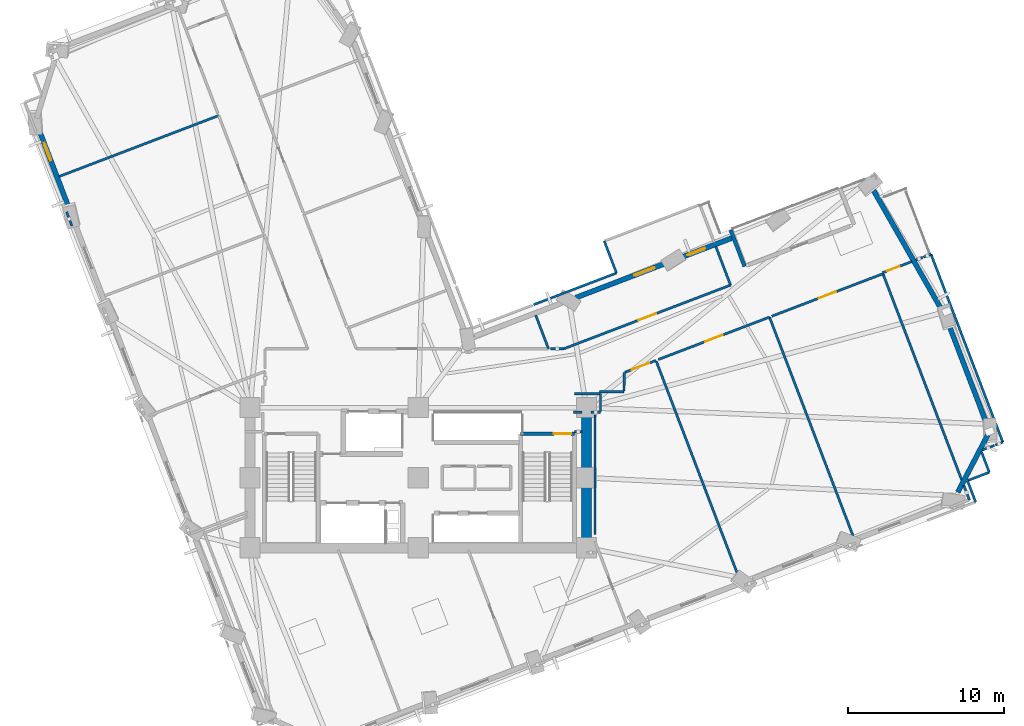
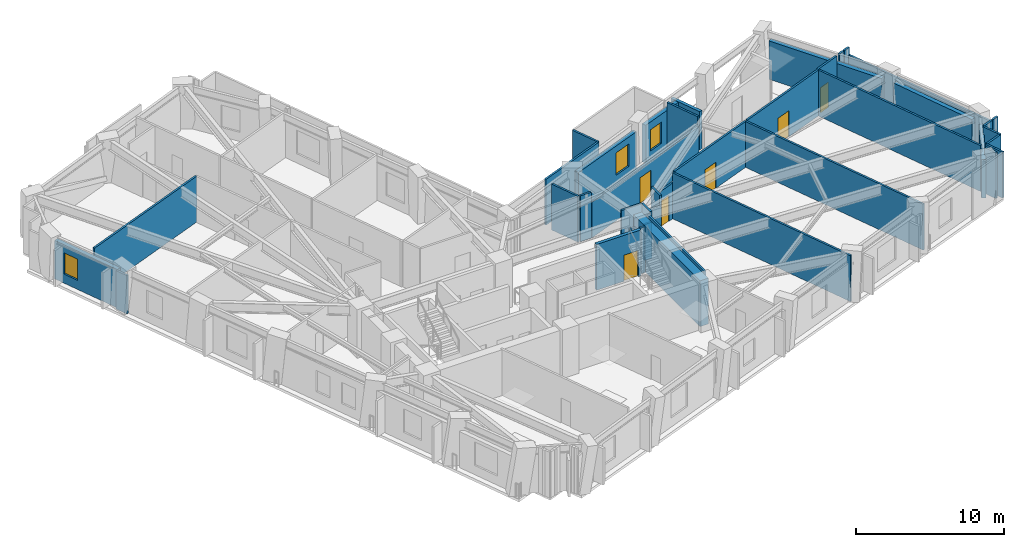
# One storey, part 10 of 15: 41 walls, 6 doors, 3 windows, 9 openings.
"""IFC4 building model written with IfcOpenShell, lengths in metres."""

from ifc_helpers import new_model, si_unit, direction, frame, frame_2d, origin, place, context, subcontext, project, spatial, rectangle, extrude, material, layer, layer_set, type_object, element, fill, save


model = new_model("IFC4")

# Units and contexts
model_context = context("Model", 3, precision=1e-05, world=origin(), true_north=direction((0.0, 1.0)))
body_context = subcontext(model_context, "Body", "Model", "MODEL_VIEW")
ifc_project = project(units=[si_unit("LENGTHUNIT", "METRE"), si_unit("AREAUNIT", "SQUARE_METRE"), si_unit("VOLUMEUNIT", "CUBIC_METRE"), si_unit("PLANEANGLEUNIT", "RADIAN"), si_unit("MASSUNIT", "GRAM", prefix="KILO")], contexts=[model_context])

# Site, building, storey
site_placement = place(None, origin())
site = spatial("IfcSite", under=ifc_project, at=site_placement, CompositionType="ELEMENT")
building_placement = place(site_placement, origin())
building = spatial("IfcBuilding", under=site, at=building_placement, Name="Gaonmaruhae Medical Tower", CompositionType="ELEMENT")
storey_placement = place(building_placement, frame((0.0, 0.0, 112.39990234375)))
storey = spatial("IfcBuildingStorey", under=building, at=storey_placement, Name="L26", CompositionType="ELEMENT", Elevation=112.39990234375)

# Walls
ifc_material_1 = material(Name="Concrete C60/75", Category="concrete")
ifc_layer_1 = layer(ifc_material_1, 0.64990234375)
ifc_layer_set_1 = layer_set([ifc_layer_1], Name="Concrete C60/75")
wall_type_1 = type_object("IfcWallType", Name="CW-650 Zone 2 Core Shear Wall", PredefinedType="SHEAR", material=ifc_layer_set_1)
wall_1_placement = place(storey_placement, frame((35.60009765625, 7.800048828125, 0.0), z_axis=(0.0, 0.0, 1.0), x_axis=(0.0, 1.0, 0.0)))
element("IfcWall", 1, at=wall_1_placement, inside=storey, type_object=wall_type_1, Name="L26 Core Shear Wall CSW-E1", PredefinedType="SHEAR", context=body_context, shape_type="SweptSolid", body=[
    extrude(rectangle(XDim=9.0, YDim=0.64990234375, at=frame_2d((4.5, 0.0))), origin(), (0.0, 0.0, 1.0), 3.780029296875),
])
ifc_material_2 = material(Name="Precast concrete C45/55", Category="concrete")
ifc_layer_2 = layer(ifc_material_2, 0.239990234375)
ifc_layer_set_2 = layer_set([ifc_layer_2], Name="Precast concrete C45/55")
wall_type_2 = type_object("IfcWallType", Name="EW-240 Ribbon & Shelter Insulated Precast Wall", PredefinedType="SOLIDWALL", material=ifc_layer_set_2)
wall_2_placement = place(storey_placement, frame((44.861572265625, 28.201171875, 0.0), z_axis=(0.0, 0.0, 1.0), x_axis=(0.356746506163, -0.934201225829, 0.0)))
element("IfcWall", 2, at=wall_2_placement, inside=storey, type_object=wall_type_2, Name="L26 Recessed Terrace Enclosure Wall TERL", PredefinedType="SOLIDWALL", context=body_context, shape_type="SweptSolid", body=[
    extrude(rectangle(XDim=2.5, YDim=0.239990234375, at=frame_2d((1.25, 0.0))), origin(), (0.0, 0.0, 1.0), 3.1650390625),
])
ifc_layer_3 = layer(ifc_material_2, 0.320068359375)
ifc_layer_set_3 = layer_set([ifc_layer_3], Name="Precast concrete C45/55")
wall_type_3 = type_object("IfcWallType", Name="EW-320 Lower Precast Masonry-Frame Facade Wall", PredefinedType="SOLIDWALL", material=ifc_layer_set_3)
wall_3_placement = place(storey_placement, frame((61.36669921875, 15.0458984375, 0.0), z_axis=(0.0, 0.0, 1.0), x_axis=(-0.464095020953, -0.885785420701, 0.0)))
element("IfcWall", 3, at=wall_3_placement, inside=storey, type_object=wall_type_3, Name="L26 Precast Masonry-Frame Wall S07-E01", PredefinedType="SOLIDWALL", context=body_context, shape_type="SweptSolid", body=[
    extrude(rectangle(XDim=4.145263671875, YDim=0.320068359375, at=frame_2d((2.07275390625, 0.0))), origin(), (0.0, 0.0, 1.0), 3.1650390625),
])
wall_4_placement = place(storey_placement, frame((58.80859375, 22.27734375, 0.0), z_axis=(0.0, 0.0, 1.0), x_axis=(0.356722522442, -0.934210384219, 0.0)))
element("IfcWall", 4, at=wall_4_placement, inside=storey, type_object=wall_type_3, Name="L26 Precast Masonry-Frame Wall E01-E02", PredefinedType="SOLIDWALL", context=body_context, shape_type="SweptSolid", body=[
    extrude(rectangle(XDim=6.83984375, YDim=0.320068359375, at=frame_2d((3.419921875, 0.0))), origin(), (0.0, 0.0, 1.0), 3.1650390625),
])
wall_5_placement = place(storey_placement, frame((54.0, 30.80322265625, 0.0), z_axis=(0.0, 0.0, 1.0), x_axis=(0.495311670918, -0.868715343857, 0.0)))
element("IfcWall", 5, at=wall_5_placement, inside=storey, type_object=wall_type_3, Name="L26 Precast Masonry-Frame Wall E02-E03", PredefinedType="SOLIDWALL", context=body_context, shape_type="SweptSolid", body=[
    extrude(rectangle(XDim=8.837646484375, YDim=0.320068359375, at=frame_2d((4.4189453125, 0.0))), origin(), (0.0, 0.0, 1.0), 3.1650390625),
])

# Wall, opening, window
wall_6_placement = place(storey_placement, frame((41.6513671875, 26.429443359375, 0.0), z_axis=(0.0, 0.0, 1.0), x_axis=(0.934195035733, 0.356762715557, 0.0)))
wall_6 = element("IfcWall", 6, at=wall_6_placement, inside=storey, type_object=wall_type_3, Name="L26 Precast Masonry-Frame Wall EN01-EN02", PredefinedType="SOLIDWALL", context=body_context, shape_type="SweptSolid", body=[
    extrude(rectangle(XDim=3.611083984375, YDim=0.320068359375, at=frame_2d((1.8056640625, 0.0))), origin(), (0.0, 0.0, 1.0), 3.14501953125),
])
opening_1_placement = place(wall_6_placement, frame((0.4765625, 0.0, 0.75)))
opening_1 = element("IfcOpeningElement", 7, at=opening_1_placement, cuts=wall_6, Name="Opening WN-05", PredefinedType="OPENING", context=body_context, shape_type="SweptSolid", body=[
    extrude(rectangle(XDim=1.199951171875, YDim=1.75, at=frame_2d((0.60009765625, 0.875))), frame((0.0, 0.169921875, 0.0), z_axis=(0.0, -1.0, 0.0), x_axis=(1.0, 0.0, 0.0)), (0.0, 0.0, 1.0), 0.340087890625),
])
ifc_material_3 = material(Name="Anodised aluminium and Low-E double glazing", Category="aluminium")
window_type_1 = type_object("IfcWindowType", Name="WN-05 Support & Staff Punched Window 1200x1750", PartitioningType="SINGLE_PANEL", PredefinedType="WINDOW", material=ifc_material_3)
window_1_placement = place(opening_1_placement, origin())
window_1 = element("IfcWindow", 8, at=window_1_placement, inside=storey, type_object=window_type_1, Name="L26 Modular Facade Window EN01", OverallHeight=1.75, OverallWidth=1.199951171875, PartitioningType="SINGLE_PANEL", PredefinedType="WINDOW", context=body_context, shape_type="SweptSolid", body=[
    extrude(rectangle(XDim=1.199951171875, YDim=1.75, at=frame_2d((0.60009765625, 0.875))), frame((0.0, 0.030029296875, 0.0), z_axis=(0.0, -1.0, 0.0), x_axis=(1.0, 0.0, 0.0)), (0.0, 0.0, 1.0), 0.06005859375),
])
fill(opening_1, window_1)

wall_7_placement = place(storey_placement, frame((34.92919921875, 23.862548828125, 0.0), z_axis=(0.0, 0.0, 1.0), x_axis=(0.934200999875, 0.356747097861, 0.0)))
wall_7 = element("IfcWall", 9, at=wall_7_placement, inside=storey, type_object=wall_type_3, Name="L26 Precast Masonry-Frame Wall EN02-EN03", PredefinedType="SOLIDWALL", context=body_context, shape_type="SweptSolid", body=[
    extrude(rectangle(XDim=6.211181640625, YDim=0.320068359375, at=frame_2d((3.10546875, 0.0))), origin(), (0.0, 0.0, 1.0), 3.1650390625),
])
opening_2_placement = place(wall_7_placement, frame((4.0029296875, 0.0, 0.75)))
opening_2 = element("IfcOpeningElement", 10, at=opening_2_placement, cuts=wall_7, Name="Opening WN-03", PredefinedType="OPENING", context=body_context, shape_type="SweptSolid", body=[
    extrude(rectangle(XDim=1.39990234375, YDim=1.85009765625, at=frame_2d((0.699951171875, 0.925048828125))), frame((0.0, 0.169921875, 0.0), z_axis=(0.0, -1.0, 0.0), x_axis=(1.0, 0.0, 0.0)), (0.0, 0.0, 1.0), 0.340087890625),
])
window_type_2 = type_object("IfcWindowType", Name="WN-03 Isolation Ward Punched Window 1400x1850", PartitioningType="SINGLE_PANEL", PredefinedType="WINDOW", material=ifc_material_3)
window_2_placement = place(opening_2_placement, origin())
window_2 = element("IfcWindow", 11, at=window_2_placement, inside=storey, type_object=window_type_2, Name="L26 Modular Facade Window EN02", OverallHeight=1.85009765625, OverallWidth=1.39990234375, PartitioningType="SINGLE_PANEL", PredefinedType="WINDOW", context=body_context, shape_type="SweptSolid", body=[
    extrude(rectangle(XDim=1.39990234375, YDim=1.85009765625, at=frame_2d((0.699951171875, 0.925048828125))), frame((0.0, 0.030029296875, 0.0), z_axis=(0.0, -1.0, 0.0), x_axis=(1.0, 0.0, 0.0)), (0.0, 0.0, 1.0), 0.06005859375),
])
fill(opening_2, window_2)

wall_8_placement = place(storey_placement, frame((2.44384765625, 29.442626953125, 0.0), z_axis=(0.0, 0.0, 1.0), x_axis=(-0.356747012413, 0.934201032506, 0.0)))
wall_8 = element("IfcWall", 12, at=wall_8_placement, inside=storey, type_object=wall_type_3, Name="L26 Precast Masonry-Frame Wall W01-W02", PredefinedType="SOLIDWALL", context=body_context, shape_type="SweptSolid", body=[
    extrude(rectangle(XDim=5.45556640625, YDim=0.320068359375, at=frame_2d((2.727783203125, 0.0))), origin(), (0.0, 0.0, 1.0), 3.1650390625),
])
opening_3_placement = place(wall_8_placement, frame((3.45361328125, 0.0, 0.75)))
opening_3 = element("IfcOpeningElement", 13, at=opening_3_placement, cuts=wall_8, Name="Opening WN-05", PredefinedType="OPENING", context=body_context, shape_type="SweptSolid", body=[
    extrude(rectangle(XDim=1.199951171875, YDim=1.75, at=frame_2d((0.60009765625, 0.875))), frame((0.0, 0.169921875, 0.0), z_axis=(0.0, -1.0, 0.0), x_axis=(1.0, 0.0, 0.0)), (0.0, 0.0, 1.0), 0.340087890625),
])
window_3_placement = place(opening_3_placement, origin())
window_3 = element("IfcWindow", 14, at=window_3_placement, inside=storey, type_object=window_type_1, Name="L26 Modular Facade Window W01", OverallHeight=1.75, OverallWidth=1.199951171875, PartitioningType="SINGLE_PANEL", PredefinedType="WINDOW", context=body_context, shape_type="SweptSolid", body=[
    extrude(rectangle(XDim=1.199951171875, YDim=1.75, at=frame_2d((0.60009765625, 0.875))), frame((0.0, 0.030029296875, 0.0), z_axis=(0.0, -1.0, 0.0), x_axis=(1.0, 0.0, 0.0)), (0.0, 0.0, 1.0), 0.06005859375),
])
fill(opening_3, window_3)

# Walls
ifc_material_4 = material(Name="Gypsum board partition", Category="gypsum")
ifc_layer_4 = layer(ifc_material_4, 0.14990234375)
ifc_layer_set_4 = layer_set([ifc_layer_4], Name="Gypsum board partition")
wall_type_4 = type_object("IfcWallType", Name="PW-150 Rated Clinical Corridor Partition", PredefinedType="PARTITIONING", material=ifc_layer_set_4)
wall_9_placement = place(storey_placement, frame((34.777099609375, 16.5, 0.0), z_axis=(0.0, 0.0, 1.0), x_axis=(1.0, 0.0, 0.0)))
element("IfcWall", 15, at=wall_9_placement, inside=storey, type_object=wall_type_4, Name="L26 Interior Partition L26-SUP04-20", PredefinedType="PARTITIONING", context=body_context, shape_type="SweptSolid", body=[
    extrude(rectangle(XDim=0.52294921875, YDim=0.14990234375, at=frame_2d((0.261474609375, 0.0))), origin(), (0.0, 0.0, 1.0), 2.965087890625),
])
wall_10_placement = place(storey_placement, frame((35.89990234375, 16.5, 0.0), z_axis=(0.0, 0.0, 1.0), x_axis=(1.0, 0.0, 0.0)))
element("IfcWall", 16, at=wall_10_placement, inside=storey, type_object=wall_type_4, Name="L26 Interior Partition L26-SUP04-21", PredefinedType="PARTITIONING", context=body_context, shape_type="SweptSolid", body=[
    extrude(rectangle(XDim=0.60009765625, YDim=0.14990234375, at=frame_2d((0.300048828125, 0.0))), origin(), (0.0, 0.0, 1.0), 2.965087890625),
])
wall_11_placement = place(storey_placement, frame((36.5, 16.550048828125, 0.0), z_axis=(0.0, 0.0, 1.0), x_axis=(0.0, 1.0, 0.0)))
element("IfcWall", 17, at=wall_11_placement, inside=storey, type_object=wall_type_4, Name="L26 Interior Partition L26-SUP04-22", PredefinedType="PARTITIONING", context=body_context, shape_type="SweptSolid", body=[
    extrude(rectangle(XDim=1.14990234375, YDim=0.14990234375, at=frame_2d((0.574951171875, 0.0))), origin(), (0.0, 0.0, 1.0), 3.780029296875),
])
wall_12_placement = place(storey_placement, frame((36.449951171875, 17.699951171875, 0.0), z_axis=(0.0, 0.0, 1.0), x_axis=(-1.0, 0.0, 0.0)))
element("IfcWall", 18, at=wall_12_placement, inside=storey, type_object=wall_type_4, Name="L26 Interior Partition L26-SUP04-23", PredefinedType="PARTITIONING", context=body_context, shape_type="SweptSolid", body=[
    extrude(rectangle(XDim=1.619873046875, YDim=0.14990234375, at=frame_2d((0.81005859375, 0.0))), origin(), (0.0, 0.0, 1.0), 3.780029296875),
])
wall_13_placement = place(storey_placement, frame((36.449951171875, 17.821044921875, 0.0), z_axis=(0.0, 0.0, 1.0), x_axis=(0.999999804321, 0.000625586365, 0.0)))
element("IfcWall", 19, at=wall_13_placement, inside=storey, type_object=wall_type_4, Name="L26 Interior Partition L26-SUP04-24", PredefinedType="PARTITIONING", context=body_context, shape_type="SweptSolid", body=[
    extrude(rectangle(XDim=1.56103515625, YDim=0.14990234375, at=frame_2d((0.780517578125, 0.0))), origin(), (0.0, 0.0, 1.0), 2.965087890625),
])
wall_14_placement = place(storey_placement, frame((38.011962890625, 17.8720703125, 0.0), z_axis=(0.0, 0.0, 1.0), x_axis=(0.015309606307, 0.99988280111, 0.0)))
element("IfcWall", 20, at=wall_14_placement, inside=storey, type_object=wall_type_4, Name="L26 Interior Partition L26-SUP04-25", PredefinedType="PARTITIONING", context=body_context, shape_type="SweptSolid", body=[
    extrude(rectangle(XDim=1.18017578125, YDim=0.14990234375, at=frame_2d((0.590087890625, 0.0))), origin(), (0.0, 0.0, 1.0), 3.780029296875),
])

# Wall, opening, door
wall_15_placement = place(storey_placement, frame((38.076904296875, 19.070068359375, 0.0), z_axis=(0.0, 0.0, 1.0), x_axis=(0.934165524449, 0.356839982248, 0.0)))
wall_15 = element("IfcWall", 21, at=wall_15_placement, inside=storey, type_object=wall_type_4, Name="L26 Interior Partition L26-SUP04-26", PredefinedType="PARTITIONING", context=body_context, shape_type="SweptSolid", body=[
    extrude(rectangle(XDim=2.127197265625, YDim=0.14990234375, at=frame_2d((1.0634765625, 0.0))), origin(), (0.0, 0.0, 1.0), 2.945068359375),
])
opening_4_placement = place(wall_15_placement, frame((0.46337890625, 0.0, 0.0)))
opening_4 = element("IfcOpeningElement", 22, at=opening_4_placement, cuts=wall_15, Name="Opening CD-02", PredefinedType="OPENING", context=body_context, shape_type="SweptSolid", body=[
    extrude(rectangle(XDim=1.199951171875, YDim=2.14990234375, at=frame_2d((0.60009765625, 1.074951171875))), frame((0.0, 0.0849609375, 0.0), z_axis=(0.0, -1.0, 0.0), x_axis=(1.0, 0.0, 0.0)), (0.0, 0.0, 1.0), 0.169921875),
])
ifc_material_5 = material(Name="Antimicrobial laminate timber fire door", Category="wood")
door_type_1 = type_object("IfcDoorType", Name="CD-02 Clinical Treatment & Procedure Door 1200x2150", OperationType="NOTDEFINED", PredefinedType="DOOR", material=ifc_material_5)
door_1_placement = place(opening_4_placement, origin())
door_1 = element("IfcDoor", 23, at=door_1_placement, inside=storey, type_object=door_type_1, Name="L26 Clinical Biomedical Charting Office Door", OperationType="SINGLE_SWING_RIGHT", OverallHeight=2.14990234375, OverallWidth=1.199951171875, PredefinedType="DOOR", context=body_context, shape_type="SweptSolid", body=[
    extrude(rectangle(XDim=1.199951171875, YDim=2.14990234375, at=frame_2d((0.60009765625, 1.074951171875))), frame((0.0, 0.02490234375, 0.0), z_axis=(0.0, -1.0, 0.0), x_axis=(1.0, 0.0, 0.0)), (0.0, 0.0, 1.0), 0.050048828125),
])
fill(opening_4, door_1)

# Walls
wall_16_placement = place(storey_placement, frame((40.08203125, 19.781982421875, 0.0), z_axis=(0.0, 0.0, 1.0), x_axis=(0.356731098137, -0.934207109597, 0.0)))
element("IfcWall", 24, at=wall_16_placement, inside=storey, type_object=wall_type_4, Name="L26 Interior Partition L26-SUP04-27", PredefinedType="PARTITIONING", context=body_context, shape_type="SweptSolid", body=[
    extrude(rectangle(XDim=15.479248046875, YDim=0.14990234375, at=frame_2d((7.73974609375, 0.0))), origin(), (0.0, 0.0, 1.0), 3.780029296875),
])
wall_17_placement = place(storey_placement, frame((36.14990234375, 8.660888671875, 0.0), z_axis=(0.0, 0.0, 1.0), x_axis=(0.0, 1.0, 0.0)))
element("IfcWall", 25, at=wall_17_placement, inside=storey, type_object=wall_type_4, Name="L26 Interior Partition L26-SUP04-29", PredefinedType="PARTITIONING", context=body_context, shape_type="SweptSolid", body=[
    extrude(rectangle(XDim=7.67919921875, YDim=0.14990234375, at=frame_2d((3.839599609375, 0.0))), origin(), (0.0, 0.0, 1.0), 3.780029296875),
])
wall_18_placement = place(storey_placement, frame((35.300048828125, 15.260009765625, 0.0), z_axis=(0.0, 0.0, 1.0), x_axis=(-1.0, 0.0, 0.0)))
element("IfcWall", 26, at=wall_18_placement, inside=storey, type_object=wall_type_4, Name="L26 Interior Partition L26-SUP04-30", PredefinedType="PARTITIONING", context=body_context, shape_type="SweptSolid", body=[
    extrude(rectangle(XDim=0.449951171875, YDim=0.14990234375, at=frame_2d((0.22509765625, 0.0))), origin(), (0.0, 0.0, 1.0), 3.780029296875),
])

# Wall, opening, door
wall_19_placement = place(storey_placement, frame((40.212890625, 19.885986328125, 0.0), z_axis=(0.0, 0.0, 1.0), x_axis=(0.93423542168, 0.356656945646, 0.0)))
wall_19 = element("IfcWall", 27, at=wall_19_placement, inside=storey, type_object=wall_type_4, Name="L26 Interior Partition L26-SUP05-31", PredefinedType="PARTITIONING", context=body_context, shape_type="SweptSolid", body=[
    extrude(rectangle(XDim=7.640625, YDim=0.14990234375, at=frame_2d((3.8203125, 0.0))), origin(), (0.0, 0.0, 1.0), 3.780029296875),
])
opening_5_placement = place(wall_19_placement, frame((3.22021484375, 0.0, 0.0)))
opening_5 = element("IfcOpeningElement", 28, at=opening_5_placement, cuts=wall_19, Name="Opening CD-02", PredefinedType="OPENING", context=body_context, shape_type="SweptSolid", body=[
    extrude(rectangle(XDim=1.199951171875, YDim=2.14990234375, at=frame_2d((0.60009765625, 1.074951171875))), frame((0.0, 0.0849609375, 0.0), z_axis=(0.0, -1.0, 0.0), x_axis=(1.0, 0.0, 0.0)), (0.0, 0.0, 1.0), 0.169921875),
])
door_2_placement = place(opening_5_placement, origin())
door_2 = element("IfcDoor", 29, at=door_2_placement, inside=storey, type_object=door_type_1, Name="L26 Clinical Biomedical Charting Office Door", OperationType="SINGLE_SWING_LEFT", OverallHeight=2.14990234375, OverallWidth=1.199951171875, PredefinedType="DOOR", context=body_context, shape_type="SweptSolid", body=[
    extrude(rectangle(XDim=1.199951171875, YDim=2.14990234375, at=frame_2d((0.60009765625, 1.074951171875))), frame((0.0, 0.02490234375, 0.0), z_axis=(0.0, -1.0, 0.0), x_axis=(1.0, 0.0, 0.0)), (0.0, 0.0, 1.0), 0.050048828125),
])
fill(opening_5, door_2)

# Wall
wall_20_placement = place(storey_placement, frame((47.35107421875, 22.611083984375, 0.0), z_axis=(0.0, 0.0, 1.0), x_axis=(0.356735243001, -0.934205526852, 0.0)))
element("IfcWall", 30, at=wall_20_placement, inside=storey, type_object=wall_type_4, Name="L26 Interior Partition L26-SUP05-32", PredefinedType="PARTITIONING", context=body_context, shape_type="SweptSolid", body=[
    extrude(rectangle(XDim=15.52978515625, YDim=0.14990234375, at=frame_2d((7.764892578125, 0.0))), origin(), (0.0, 0.0, 1.0), 3.780029296875),
])

# Wall, opening, door
wall_21_placement = place(storey_placement, frame((47.5, 22.66796875, 0.0), z_axis=(0.0, 0.0, 1.0), x_axis=(0.934172491121, 0.356821743778, 0.0)))
wall_21 = element("IfcWall", 31, at=wall_21_placement, inside=storey, type_object=wall_type_4, Name="L26 Interior Partition L26-SUP06-35", PredefinedType="PARTITIONING", context=body_context, shape_type="SweptSolid", body=[
    extrude(rectangle(XDim=7.639892578125, YDim=0.14990234375, at=frame_2d((3.81982421875, 0.0))), origin(), (0.0, 0.0, 1.0), 3.780029296875),
])
opening_6_placement = place(wall_21_placement, frame((3.219970703125, 0.0, 0.0)))
opening_6 = element("IfcOpeningElement", 32, at=opening_6_placement, cuts=wall_21, Name="Opening CD-02", PredefinedType="OPENING", context=body_context, shape_type="SweptSolid", body=[
    extrude(rectangle(XDim=1.199951171875, YDim=2.14990234375, at=frame_2d((0.60009765625, 1.074951171875))), frame((0.0, 0.0849609375, 0.0), z_axis=(0.0, -1.0, 0.0), x_axis=(1.0, 0.0, 0.0)), (0.0, 0.0, 1.0), 0.169921875),
])
door_3_placement = place(opening_6_placement, origin())
door_3 = element("IfcDoor", 33, at=door_3_placement, inside=storey, type_object=door_type_1, Name="L26 Clinical Biomedical Charting Office Door", OperationType="SINGLE_SWING_LEFT", OverallHeight=2.14990234375, OverallWidth=1.199951171875, PredefinedType="DOOR", context=body_context, shape_type="SweptSolid", body=[
    extrude(rectangle(XDim=1.199951171875, YDim=2.14990234375, at=frame_2d((0.60009765625, 1.074951171875))), frame((0.0, 0.02490234375, 0.0), z_axis=(0.0, -1.0, 0.0), x_axis=(1.0, 0.0, 0.0)), (0.0, 0.0, 1.0), 0.050048828125),
])
fill(opening_6, door_3)

# Walls
wall_22_placement = place(storey_placement, frame((54.636962890625, 25.39404296875, 0.0), z_axis=(0.0, 0.0, 1.0), x_axis=(0.356709762007, -0.934215256613, 0.0)))
element("IfcWall", 34, at=wall_22_placement, inside=storey, type_object=wall_type_4, Name="L26 Interior Partition L26-SUP06-36", PredefinedType="PARTITIONING", context=body_context, shape_type="SweptSolid", body=[
    extrude(rectangle(XDim=14.179931640625, YDim=0.14990234375, at=frame_2d((7.08984375, 0.0))), origin(), (0.0, 0.0, 1.0), 3.780029296875),
])
wall_23_placement = place(storey_placement, frame((59.823974609375, 11.81103515625, 0.0), z_axis=(0.0, 0.0, 1.0), x_axis=(0.356548962599, -0.934276638512, 0.0)))
element("IfcWall", 35, at=wall_23_placement, inside=storey, type_object=wall_type_4, Name="L26 Interior Partition L26-SUP06-37", PredefinedType="PARTITIONING", context=body_context, shape_type="SweptSolid", body=[
    extrude(rectangle(XDim=0.990234375, YDim=0.14990234375, at=frame_2d((0.4951171875, 0.0))), origin(), (0.0, 0.0, 1.0), 3.780029296875),
])
wall_24_placement = place(storey_placement, frame((1.75, 31.637939453125, 0.0), z_axis=(0.0, 0.0, 1.0), x_axis=(0.934223647232, 0.356687786379, 0.0)))
element("IfcWall", 36, at=wall_24_placement, inside=storey, type_object=wall_type_4, Name="L26 Interior Partition L26-WOF09-52", PredefinedType="PARTITIONING", context=body_context, shape_type="SweptSolid", body=[
    extrude(rectangle(XDim=10.965087890625, YDim=0.14990234375, at=frame_2d((5.482421875, 0.0))), origin(), (0.0, 0.0, 1.0), 3.780029296875),
])
wall_25_placement = place(storey_placement, frame((2.572021484375, 28.462890625, 0.0), z_axis=(0.0, 0.0, 1.0), x_axis=(-0.35676603532, 0.934193767931, 0.0)))
element("IfcWall", 37, at=wall_25_placement, inside=storey, type_object=wall_type_4, Name="L26 Interior Partition L26-WOF09-54", PredefinedType="PARTITIONING", context=body_context, shape_type="SweptSolid", body=[
    extrude(rectangle(XDim=0.96142578125, YDim=0.14990234375, at=frame_2d((0.480712890625, 0.0))), origin(), (0.0, 0.0, 1.0), 3.1650390625),
])
wall_26_placement = place(storey_placement, frame((32.343994140625, 22.73095703125, 0.0), z_axis=(0.0, 0.0, 1.0), x_axis=(0.356625840628, -0.934247295846, 0.0)))
element("IfcWall", 38, at=wall_26_placement, inside=storey, type_object=wall_type_4, Name="L26 Interior Partition L26-IE01-70", PredefinedType="PARTITIONING", context=body_context, shape_type="SweptSolid", body=[
    extrude(rectangle(XDim=2.30224609375, YDim=0.14990234375, at=frame_2d((1.151123046875, 0.0))), origin(), (0.0, 0.0, 1.0), 3.780029296875),
])
wall_27_placement = place(storey_placement, frame((32.2109375, 23.4130859375, 0.0), z_axis=(0.0, 0.0, 1.0), x_axis=(0.934184043602, 0.356791497487, 0.0)))
element("IfcWall", 39, at=wall_27_placement, inside=storey, type_object=wall_type_4, Name="L26 Interior Partition L26-IE02-72", PredefinedType="PARTITIONING", context=body_context, shape_type="SweptSolid", body=[
    extrude(rectangle(XDim=5.686279296875, YDim=0.14990234375, at=frame_2d((2.84326171875, 0.0))), origin(), (0.0, 0.0, 1.0), 3.780029296875),
])
wall_28_placement = place(storey_placement, frame((37.52294921875, 25.44189453125, 0.0), z_axis=(0.0, 0.0, 1.0), x_axis=(-0.356784331151, 0.934186780599, 0.0)))
element("IfcWall", 40, at=wall_28_placement, inside=storey, type_object=wall_type_4, Name="L26 Interior Partition L26-IE02-73", PredefinedType="PARTITIONING", context=body_context, shape_type="SweptSolid", body=[
    extrude(rectangle(XDim=2.199951171875, YDim=0.14990234375, at=frame_2d((1.10009765625, 0.0))), origin(), (0.0, 0.0, 1.0), 3.780029296875),
])
wall_29_placement = place(storey_placement, frame((43.905029296875, 27.14599609375, 0.0), z_axis=(0.0, 0.0, 1.0), x_axis=(0.356618408339, -0.934250132905, 0.0)))
element("IfcWall", 41, at=wall_29_placement, inside=storey, type_object=wall_type_4, Name="L26 Interior Partition L26-IE02-76", PredefinedType="PARTITIONING", context=body_context, shape_type="SweptSolid", body=[
    extrude(rectangle(XDim=2.655517578125, YDim=0.14990234375, at=frame_2d((1.32763671875, 0.0))), origin(), (0.0, 0.0, 1.0), 3.780029296875),
])

# Wall, opening, door
wall_30_placement = place(storey_placement, frame((44.85205078125, 24.6650390625, 0.0), z_axis=(0.0, 0.0, 1.0), x_axis=(-0.934210506375, -0.35672220253, 0.0)))
wall_30 = element("IfcWall", 42, at=wall_30_placement, inside=storey, type_object=wall_type_4, Name="L26 Interior Partition L26-IE02-77", PredefinedType="PARTITIONING", context=body_context, shape_type="SweptSolid", body=[
    extrude(rectangle(XDim=11.451416015625, YDim=0.14990234375, at=frame_2d((5.7255859375, 0.0))), origin(), (0.0, 0.0, 1.0), 2.945068359375),
])
opening_7_placement = place(wall_30_placement, frame((5.125732421875, 0.0, 0.0)))
opening_7 = element("IfcOpeningElement", 43, at=opening_7_placement, cuts=wall_30, Name="Opening CD-02", PredefinedType="OPENING", context=body_context, shape_type="SweptSolid", body=[
    extrude(rectangle(XDim=1.199951171875, YDim=2.14990234375, at=frame_2d((0.60009765625, 1.074951171875))), frame((0.0, 0.0849609375, 0.0), z_axis=(0.0, -1.0, 0.0), x_axis=(1.0, 0.0, 0.0)), (0.0, 0.0, 1.0), 0.169921875),
])
door_4_placement = place(opening_7_placement, origin())
door_4 = element("IfcDoor", 44, at=door_4_placement, inside=storey, type_object=door_type_1, Name="L26 Acute Treatment Examination Room Door", OperationType="SINGLE_SWING_LEFT", OverallHeight=2.14990234375, OverallWidth=1.199951171875, PredefinedType="DOOR", context=body_context, shape_type="SweptSolid", body=[
    extrude(rectangle(XDim=1.199951171875, YDim=2.14990234375, at=frame_2d((0.60009765625, 1.074951171875))), frame((0.0, 0.02490234375, 0.0), z_axis=(0.0, -1.0, 0.0), x_axis=(1.0, 0.0, 0.0)), (0.0, 0.0, 1.0), 0.050048828125),
])
fill(opening_7, door_4)

# Wall
wall_31_placement = place(storey_placement, frame((34.154052734375, 20.580078125, 0.0), z_axis=(0.0, 0.0, 1.0), x_axis=(-1.0, 0.0, 0.0)))
element("IfcWall", 45, at=wall_31_placement, inside=storey, type_object=wall_type_4, Name="L26 Interior Partition L26-IE02-78", PredefinedType="PARTITIONING", context=body_context, shape_type="SweptSolid", body=[
    extrude(rectangle(XDim=0.861083984375, YDim=0.14990234375, at=frame_2d((0.4306640625, 0.0))), origin(), (0.0, 0.0, 1.0), 3.780029296875),
])

# Wall, opening, door
wall_32_placement = place(storey_placement, frame((54.612060546875, 25.458984375, 0.0), z_axis=(0.0, 0.0, 1.0), x_axis=(0.934153407675, 0.356871700936, 0.0)))
wall_32 = element("IfcWall", 46, at=wall_32_placement, inside=storey, type_object=wall_type_4, Name="L26 Interior Partition L26-RM02-99", PredefinedType="PARTITIONING", context=body_context, shape_type="SweptSolid", body=[
    extrude(rectangle(XDim=2.003662109375, YDim=0.14990234375, at=frame_2d((1.001953125, 0.0))), origin(), (0.0, 0.0, 1.0), 3.780029296875),
])
opening_8_placement = place(wall_32_placement, frame((0.30908203125, 0.0, 0.0)))
opening_8 = element("IfcOpeningElement", 47, at=opening_8_placement, cuts=wall_32, Name="Opening AD-01", PredefinedType="OPENING", context=body_context, shape_type="SweptSolid", body=[
    extrude(rectangle(XDim=0.860107421875, YDim=2.06005859375, at=frame_2d((0.43017578125, 1.030029296875))), frame((0.0, 0.0849609375, 0.0), z_axis=(0.0, -1.0, 0.0), x_axis=(1.0, 0.0, 0.0)), (0.0, 0.0, 1.0), 0.169921875),
])
ifc_material_6 = material(Name="Powder-coated steel access door", Category="steel")
door_type_2 = type_object("IfcDoorType", Name="AD-01 Riser & Closet Access Fire Door 860x2060", OperationType="NOTDEFINED", PredefinedType="DOOR", material=ifc_material_6)
door_5_placement = place(opening_8_placement, origin())
door_5 = element("IfcDoor", 48, at=door_5_placement, inside=storey, type_object=door_type_2, Name="L26 Care Team Clinical Charting Office Sliding Door", OperationType="SLIDING_TO_LEFT", OverallHeight=2.06005859375, OverallWidth=0.860107421875, PredefinedType="DOOR", context=body_context, shape_type="SweptSolid", body=[
    extrude(rectangle(XDim=0.860107421875, YDim=2.06005859375, at=frame_2d((0.43017578125, 1.030029296875))), frame((0.0, 0.02490234375, 0.0), z_axis=(0.0, -1.0, 0.0), x_axis=(1.0, 0.0, 0.0)), (0.0, 0.0, 1.0), 0.050048828125),
])
fill(opening_8, door_5)

# Walls
wall_33_placement = place(storey_placement, frame((56.739013671875, 26.27099609375, 0.0), z_axis=(0.0, 0.0, 1.0), x_axis=(0.934066849475, 0.357098194775, 0.0)))
element("IfcWall", 49, at=wall_33_placement, inside=storey, type_object=wall_type_4, Name="L26 Interior Partition L26-RM02-100", PredefinedType="PARTITIONING", context=body_context, shape_type="SweptSolid", body=[
    extrude(rectangle(XDim=0.478515625, YDim=0.14990234375, at=frame_2d((0.2392578125, 0.0))), origin(), (0.0, 0.0, 1.0), 3.780029296875),
])
wall_34_placement = place(storey_placement, frame((61.794921875, 14.3720703125, 0.0), z_axis=(0.0, 0.0, 1.0), x_axis=(-0.934225419659, -0.35668314407, 0.0)))
element("IfcWall", 50, at=wall_34_placement, inside=storey, type_object=wall_type_4, Name="L26 Interior Partition L26-RM02-104", PredefinedType="PARTITIONING", context=body_context, shape_type="SweptSolid", body=[
    extrude(rectangle(XDim=0.84130859375, YDim=0.14990234375, at=frame_2d((0.420654296875, 0.0))), origin(), (0.0, 0.0, 1.0), 3.780029296875),
])
wall_35_placement = place(storey_placement, frame((60.9609375, 13.97998046875, 0.0), z_axis=(0.0, 0.0, 1.0), x_axis=(0.356428093384, -0.934322756999, 0.0)))
element("IfcWall", 51, at=wall_35_placement, inside=storey, type_object=wall_type_4, Name="L26 Interior Partition L26-RM02-105", PredefinedType="PARTITIONING", context=body_context, shape_type="SweptSolid", body=[
    extrude(rectangle(XDim=1.430908203125, YDim=0.14990234375, at=frame_2d((0.71533203125, 0.0))), origin(), (0.0, 0.0, 1.0), 3.780029296875),
])
wall_36_placement = place(storey_placement, frame((61.470947265625, 12.64306640625, 0.0), z_axis=(0.0, 0.0, 1.0), x_axis=(-0.934240071914, -0.356644764479, 0.0)))
element("IfcWall", 52, at=wall_36_placement, inside=storey, type_object=wall_type_4, Name="L26 Interior Partition L26-RM02-106", PredefinedType="PARTITIONING", context=body_context, shape_type="SweptSolid", body=[
    extrude(rectangle(XDim=1.50048828125, YDim=0.14990234375, at=frame_2d((0.750244140625, 0.0))), origin(), (0.0, 0.0, 1.0), 3.780029296875),
])
wall_37_placement = place(storey_placement, frame((60.069091796875, 12.10791015625, 0.0), z_axis=(0.0, 0.0, 1.0), x_axis=(0.356864862049, -0.934156020285, 0.0)))
element("IfcWall", 53, at=wall_37_placement, inside=storey, type_object=wall_type_4, Name="L26 Interior Partition L26-RM02-107", PredefinedType="PARTITIONING", context=body_context, shape_type="SweptSolid", body=[
    extrude(rectangle(XDim=1.470947265625, YDim=0.14990234375, at=frame_2d((0.7353515625, 0.0))), origin(), (0.0, 0.0, 1.0), 3.780029296875),
])
wall_38_placement = place(storey_placement, frame((57.241943359375, 26.462890625, 0.0), z_axis=(0.0, 0.0, 1.0), x_axis=(0.933936729211, 0.357438366479, 0.0)))
element("IfcWall", 54, at=wall_38_placement, inside=storey, type_object=wall_type_4, Name="L26 Interior Partition L26-RM03-109", PredefinedType="PARTITIONING", context=body_context, shape_type="SweptSolid", body=[
    extrude(rectangle(XDim=0.5205078125, YDim=0.14990234375, at=frame_2d((0.26025390625, 0.0))), origin(), (0.0, 0.0, 1.0), 3.780029296875),
])
wall_39_placement = place(storey_placement, frame((57.72802734375, 26.64892578125, 0.0), z_axis=(0.0, 0.0, 1.0), x_axis=(0.356729152483, -0.934207852551, 0.0)))
element("IfcWall", 55, at=wall_39_placement, inside=storey, type_object=wall_type_4, Name="L26 Interior Partition L26-RM03-110", PredefinedType="PARTITIONING", context=body_context, shape_type="SweptSolid", body=[
    extrude(rectangle(XDim=12.919921875, YDim=0.14990234375, at=frame_2d((6.4599609375, 0.0))), origin(), (0.0, 0.0, 1.0), 3.1650390625),
])
wall_40_placement = place(storey_placement, frame((62.3369140625, 14.5791015625, 0.0), z_axis=(0.0, 0.0, 1.0), x_axis=(-0.934502612507, -0.355956271497, 0.0)))
element("IfcWall", 56, at=wall_40_placement, inside=storey, type_object=wall_type_4, Name="L26 Interior Partition L26-RM03-111", PredefinedType="PARTITIONING", context=body_context, shape_type="SweptSolid", body=[
    extrude(rectangle(XDim=0.519775390625, YDim=0.14990234375, at=frame_2d((0.259765625, 0.0))), origin(), (0.0, 0.0, 1.0), 3.780029296875),
])

# Wall, opening, door
ifc_material_7 = material(Name="Concrete C50/60", Category="concrete")
ifc_layer_5 = layer(ifc_material_7, 0.239990234375)
ifc_layer_set_5 = layer_set([ifc_layer_5], Name="Concrete C50/60")
wall_type_5 = type_object("IfcWallType", Name="SW-240 Dogleg Stair Tight Shaft Wall", PredefinedType="SOLIDWALL", material=ifc_layer_set_5)
wall_41_placement = place(storey_placement, frame((31.3701171875, 15.1201171875, 0.0), z_axis=(0.0, 0.0, 1.0), x_axis=(1.0, 0.0, 0.0)))
wall_41 = element("IfcWall", 57, at=wall_41_placement, inside=storey, type_object=wall_type_5, Name="L26 ST-02 Stair Shaft Wall SHW-ST-02-N", PredefinedType="SOLIDWALL", context=body_context, shape_type="SweptSolid", body=[
    extrude(rectangle(XDim=3.4599609375, YDim=0.239990234375, at=frame_2d((1.72998046875, 0.0))), origin(), (0.0, 0.0, 1.0), 3.780029296875),
])
opening_9_placement = place(wall_41_placement, frame((2.139892578125, 0.0, 0.0)))
opening_9 = element("IfcOpeningElement", 58, at=opening_9_placement, cuts=wall_41, Name="Opening FD-01", PredefinedType="OPENING", context=body_context, shape_type="SweptSolid", body=[
    extrude(rectangle(XDim=1.10009765625, YDim=2.14990234375, at=frame_2d((0.550048828125, 1.074951171875))), frame((0.0, 0.1298828125, 0.0), z_axis=(0.0, -1.0, 0.0), x_axis=(1.0, 0.0, 0.0)), (0.0, 0.0, 1.0), 0.260009765625),
])
ifc_material_8 = material(Name="Powder-coated steel fire door", Category="steel")
door_type_3 = type_object("IfcDoorType", Name="FD-01 Escape Stair Protected Fire Door 1100x2150", OperationType="NOTDEFINED", PredefinedType="DOOR", material=ifc_material_8)
door_6_placement = place(opening_9_placement, origin())
door_6 = element("IfcDoor", 59, at=door_6_placement, inside=storey, type_object=door_type_3, Name="L26 ST-02 Protected Escape Stair Door", OperationType="SINGLE_SWING_LEFT", OverallHeight=2.14990234375, OverallWidth=1.10009765625, PredefinedType="DOOR", context=body_context, shape_type="SweptSolid", body=[
    extrude(rectangle(XDim=1.10009765625, YDim=2.14990234375, at=frame_2d((0.550048828125, 1.074951171875))), frame((0.0, 0.02490234375, 0.0), z_axis=(0.0, -1.0, 0.0), x_axis=(1.0, 0.0, 0.0)), (0.0, 0.0, 1.0), 0.050048828125),
])
fill(opening_9, door_6)

save(model, "model.ifc")
